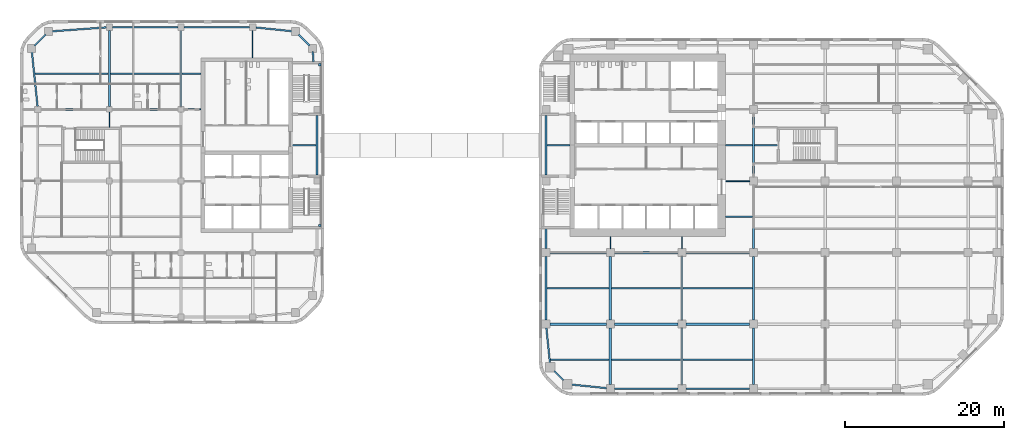
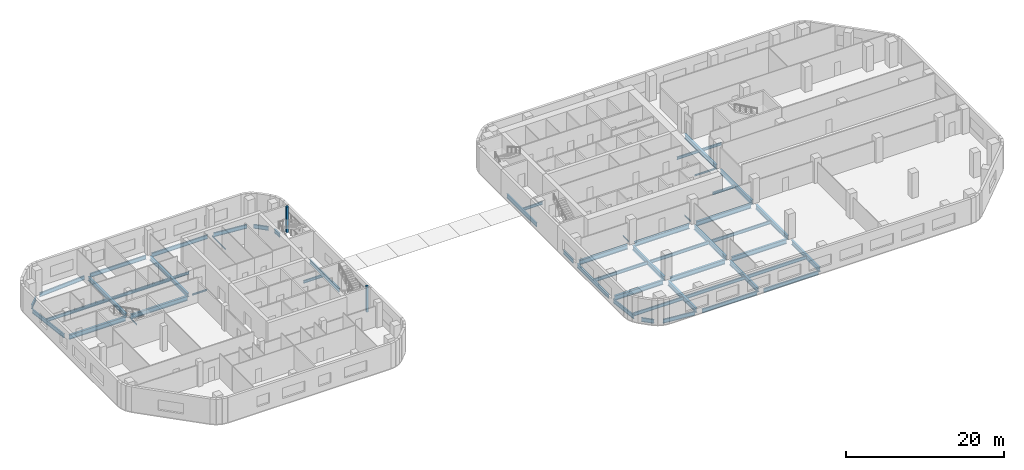
# One storey, part 2 of 15: 55 beams, 2 members.
"""IFC4 building model written with IfcOpenShell, lengths in metres."""

import ifcopenshell
import ifcopenshell.guid

model = None  # the IFC model being written
_history = None  # IfcOwnerHistory: only IFC2X3 demands one
_inside = {}  # id of a spatial element -> (the spatial element, [elements in it])
_under = {}  # id of a project, library or spatial element -> (it, [spatial elements below it])
_declared = {}  # id of a project -> (the project, [libraries it declares])
_typed = {}  # id of a type object -> (the type object, [elements of that type])
_made_of = {}  # id of a material, layer set ... -> (it, [elements and type objects made of it])


def new_model(schema):
    """Start an empty IFC model of exactly this schema.

    Asked for "IFC4X3", IfcOpenShell would pick the latest addendum, in which some entities
    have other attributes; the version numbers below select the first issue.
    IFC2X3 requires an IfcOwnerHistory on every rooted entity: one is made here for all.
    """
    global model, _history
    if schema == "IFC4X3":
        model = ifcopenshell.file(schema_version=(4, 3, 0, 0))
    else:
        model = ifcopenshell.file(schema=schema)
    _inside.clear()
    _under.clear()
    _declared.clear()
    _typed.clear()
    _made_of.clear()
    _history = None
    if model.schema == "IFC2X3":
        org = make("IfcOrganization", Name="unknown")
        user = make(
            "IfcPersonAndOrganization",
            ThePerson=make("IfcPerson", FamilyName="unknown"),
            TheOrganization=org,
        )
        app = make(
            "IfcApplication",
            ApplicationDeveloper=org,
            Version="unknown",
            ApplicationFullName="unknown",
            ApplicationIdentifier="unknown",
        )
        _history = make(
            "IfcOwnerHistory",
            OwningUser=user,
            OwningApplication=app,
            ChangeAction="ADDED",
            CreationDate=0,
        )
    return model


def make(cls, **values):
    """One entity of the class cls with the attributes given. An attribute that is None is left unset."""
    return model.create_entity(
        cls, **{name: value for name, value in values.items() if value is not None}
    )


def rooted(cls, **values):
    """An entity with a GlobalId (a new one), such as an element, a storey or a relation."""
    return make(cls, GlobalId=ifcopenshell.guid.new(), OwnerHistory=_history, **values)


def si_unit(unit_type, name, prefix=None):
    """IfcSIUnit, for example si_unit("LENGTHUNIT", "METRE", prefix="MILLI")."""
    return make("IfcSIUnit", UnitType=unit_type, Prefix=prefix, Name=name)


def assignment(units):
    """IfcUnitAssignment: the units of a project."""
    return None if units is None else make("IfcUnitAssignment", Units=units)


def point(xyz):
    """IfcCartesianPoint."""
    return None if xyz is None else make("IfcCartesianPoint", Coordinates=xyz)


def direction(xyz):
    """IfcDirection."""
    return None if xyz is None else make("IfcDirection", DirectionRatios=xyz)


def frame(location, z_axis=None, x_axis=None):
    """IfcAxis2Placement3D, a coordinate frame: its origin and axes. An axis left out is left unset."""
    return make(
        "IfcAxis2Placement3D",
        Location=point(location),
        Axis=direction(z_axis),
        RefDirection=direction(x_axis),
    )


def frame_2d(location, x_axis=None):
    """IfcAxis2Placement2D, a coordinate frame in the plane: its origin and x axis."""
    return make(
        "IfcAxis2Placement2D", Location=point(location), RefDirection=direction(x_axis)
    )


def origin():
    """The frame at (0, 0, 0) with its axes left unset."""
    return frame((0.0, 0.0, 0.0))


def origin_2d():
    """The frame at (0, 0) in the plane with its x axis left unset."""
    return frame_2d((0.0, 0.0))


def place(relative_to, where):
    """IfcLocalPlacement: puts the frame where relative to a parent placement (None: the world)."""
    return make(
        "IfcLocalPlacement", PlacementRelTo=relative_to, RelativePlacement=where
    )


def context(
    kind, dimensions, precision=None, world=None, true_north=None, identifier=None
):
    """IfcGeometricRepresentationContext, for example the 3D "Model" context."""
    return make(
        "IfcGeometricRepresentationContext",
        ContextIdentifier=identifier,
        ContextType=kind,
        CoordinateSpaceDimension=dimensions,
        Precision=precision,
        WorldCoordinateSystem=world,
        TrueNorth=true_north,
    )


def subcontext(parent, identifier, kind, view, scale=None):
    """IfcGeometricRepresentationSubContext, for example "Body" below "Model"."""
    return make(
        "IfcGeometricRepresentationSubContext",
        ContextIdentifier=identifier,
        ContextType=kind,
        ParentContext=parent,
        TargetScale=scale,
        TargetView=view,
    )


def project(units=None, contexts=None):
    """IfcProject with its units and contexts."""
    return rooted(
        "IfcProject",
        Name="project",
        RepresentationContexts=contexts,
        UnitsInContext=assignment(units),
    )


def spatial(cls, under=None, at=None, **own):
    """A site, building, storey or space (cls), placed at a placement, below another one or the project."""
    s = rooted(cls, ObjectPlacement=at, **own)
    if under is not None:
        _under.setdefault(under.id(), (under, []))[1].append(s)
    return s


def profile(cls, at=None, kind="AREA", **sizes):
    """A parametric profile (cls). Its sizes go by their IFC names, for example OverallWidth=200.0."""
    return make(cls, ProfileType=kind, Position=at, **sizes)


def rectangle(**sizes):
    """IfcRectangleProfileDef."""
    return profile("IfcRectangleProfileDef", **sizes)


def i_section(**sizes):
    """IfcIShapeProfileDef."""
    return profile("IfcIShapeProfileDef", **sizes)


def extrude(swept, where, along, depth):
    """IfcExtrudedAreaSolid: the profile swept, set in the frame where, extruded along a direction by depth."""
    return make(
        "IfcExtrudedAreaSolid",
        SweptArea=swept,
        Position=where,
        ExtrudedDirection=direction(along),
        Depth=depth,
    )


def shape(context_of_items, identifier, shape_type, items):
    """IfcShapeRepresentation: the items that make up one representation, for example the "Body"."""
    return make(
        "IfcShapeRepresentation",
        ContextOfItems=context_of_items,
        RepresentationIdentifier=identifier,
        RepresentationType=shape_type,
        Items=items,
    )


def material(Name=None, Category=None):
    """IfcMaterial."""
    return make("IfcMaterial", Name=Name, Category=Category)


def material_profile(
    of_material, cross_section, Name=None, Category=None, Priority=None
):
    """IfcMaterialProfile: a cross section and its material."""
    return make(
        "IfcMaterialProfile",
        Name=Name,
        Material=of_material,
        Profile=cross_section,
        Priority=Priority,
        Category=Category,
    )


def profile_set(profiles, Name=None, composite=None):
    """IfcMaterialProfileSet."""
    return make(
        "IfcMaterialProfileSet",
        Name=Name,
        MaterialProfiles=profiles,
        CompositeProfile=composite,
    )


def made_of(thing, what):
    """Note that an element or type object is made of a material, layer set ...; save() writes the relation."""
    if what is not None:
        _made_of.setdefault(what.id(), (what, []))[1].append(thing)
    return thing


def type_object(cls, material=None, **own):
    """A type object (cls), such as IfcWallType, which elements share."""
    return made_of(rooted(cls, **own), material)


def element(
    cls,
    number,
    at=None,
    inside=None,
    cuts=None,
    type_object=None,
    material=None,
    context=None,
    identifier="Body",
    shape_type=None,
    held_by="IfcProductDefinitionShape",
    body=None,
    shapes=None,
    **own,
):
    """One element of the class cls, such as IfcWall. Its Tag is "e" and its number.

    at: its placement. inside: the storey or other place that contains it. cuts: it is an
    opening in that element (IfcRelVoidsElement). A single representation is given by context,
    identifier, shape_type and body (its items); several are given by shapes. held_by: the class
    of the entity that holds the representations. save() writes the other relations.
    """
    e = rooted(cls, Tag="e%d" % number, ObjectPlacement=at, **own)
    if body is not None:
        shapes = [shape(context, identifier, shape_type, body)]
    if shapes is not None:
        e.Representation = make(held_by, Representations=shapes)
    if inside is not None:
        _inside.setdefault(inside.id(), (inside, []))[1].append(e)
    if cuts is not None:
        rooted(
            "IfcRelVoidsElement", RelatingBuildingElement=cuts, RelatedOpeningElement=e
        )
    if type_object is not None:
        _typed.setdefault(type_object.id(), (type_object, []))[1].append(e)
    return made_of(e, material)


def aggregate(whole, parts):
    """IfcRelAggregates: a whole, such as a stair, and the parts it consists of."""
    return rooted("IfcRelAggregates", RelatingObject=whole, RelatedObjects=parts)


def save(model, path):
    """Write the relations noted so far, then the file.

    IfcRelAggregates (storeys below a building ...), IfcRelContainedInSpatialStructure (elements
    in a storey), IfcRelDefinesByType, IfcRelAssociatesMaterial and IfcRelDeclares: one each for
    every whole, place, type object, material and project.
    """
    for whole, parts in _under.values():
        aggregate(whole, parts)
    for where, things in _inside.values():
        rooted(
            "IfcRelContainedInSpatialStructure",
            RelatedElements=things,
            RelatingStructure=where,
        )
    for kind, things in _typed.values():
        rooted("IfcRelDefinesByType", RelatedObjects=things, RelatingType=kind)
    for what, things in _made_of.values():
        rooted("IfcRelAssociatesMaterial", RelatedObjects=things, RelatingMaterial=what)
    for by, libraries in _declared.values():
        rooted("IfcRelDeclares", RelatingContext=by, RelatedDefinitions=libraries)
    model.write(path)


model = new_model("IFC4")

# Units and contexts
model_context = context("Model", 3, precision=1e-05, world=origin(), true_north=direction((0.0, 1.0)))
body_context = subcontext(model_context, "Body", "Model", "MODEL_VIEW")
ifc_project = project(units=[si_unit("LENGTHUNIT", "METRE"), si_unit("AREAUNIT", "SQUARE_METRE"), si_unit("VOLUMEUNIT", "CUBIC_METRE"), si_unit("PLANEANGLEUNIT", "RADIAN"), si_unit("MASSUNIT", "GRAM", prefix="KILO")], contexts=[model_context])

# Site, building, storey
site_placement = place(None, origin())
site = spatial("IfcSite", under=ifc_project, at=site_placement, CompositionType="ELEMENT")
building_placement = place(site_placement, origin())
building = spatial("IfcBuilding", under=site, at=building_placement, Name="Cinnabar Reach Civic Tower", CompositionType="ELEMENT")
storey_placement = place(building_placement, frame((0.0, 0.0, 75.0)))
storey = spatial("IfcBuildingStorey", under=building, at=storey_placement, Name="L17", CompositionType="ELEMENT", Elevation=75.0)

# Beams
ifc_material_1 = material(Name="Steel Q355B", Category="steel")
ifc_material_profile_1 = material_profile(ifc_material_1, i_section(OverallWidth=0.302, OverallDepth=0.594, WebThickness=0.014, FlangeThickness=0.023, FilletRadius=0.016, at=origin_2d()), Name="HM594x302x14x23")
ifc_profile_set_1 = profile_set([ifc_material_profile_1], Name="Steel Q355B")
beam_type_1 = type_object("IfcBeamType", Name="HM594x302x14x23 beam R 120", PredefinedType="BEAM", material=ifc_profile_set_1)
for number, where, z_axis, x_axis, name in (
    (1, (-54.0, 36.352, -0.447), (0.0, 1.0, 0.0), (-1.0, 0.0, 0.0), "Girder T2 L17 5"),
    (2, (-45.0, 36.352, -0.447), (0.0, 1.0, 0.0), (-1.0, 0.0, 0.0), "Girder T2 L17 9"),
):
    element("IfcBeam", number, at=place(storey_placement, frame(where, z_axis=z_axis, x_axis=x_axis)), inside=storey, type_object=beam_type_1, Name=name, PredefinedType="BEAM", context=body_context, shape_type="SweptSolid", body=[
        extrude(i_section(OverallWidth=0.302, OverallDepth=0.594, WebThickness=0.014, FlangeThickness=0.023, FilletRadius=0.016, at=origin_2d()), origin(), (0.0, 0.0, 1.0), 9.596),
    ])
ifc_material_profile_2 = material_profile(ifc_material_1, i_section(OverallWidth=0.099, OverallDepth=0.198, WebThickness=0.0045, FlangeThickness=0.007, FilletRadius=0.013, at=origin_2d()), Name="HN200x100x5.5x8")
ifc_profile_set_2 = profile_set([ifc_material_profile_2], Name="Steel Q355B")
beam_type_2 = type_object("IfcBeamType", Name="HN200x100x5.5x8 beam R 120", PredefinedType="BEAM", material=ifc_profile_set_2)
beam_1_placement = place(storey_placement, frame((-54.0, 33.752, -0.249), z_axis=(0.0, 1.0, 0.0), x_axis=(-1.0, 0.0, 0.0)))
element("IfcBeam", 3, at=beam_1_placement, inside=storey, type_object=beam_type_2, Name="Girder T2 L17 4", PredefinedType="BEAM", context=body_context, shape_type="SweptSolid", body=[
    extrude(i_section(OverallWidth=0.099, OverallDepth=0.198, WebThickness=0.0045, FlangeThickness=0.007, FilletRadius=0.013, at=origin_2d()), origin(), (0.0, 0.0, 1.0), 1.896),
])
beam_2_placement = place(storey_placement, frame((-36.0, 42.502, -0.249), z_axis=(0.0, 1.0, 0.0), x_axis=(-1.0, 0.0, 0.0)))
element("IfcBeam", 4, at=beam_2_placement, inside=storey, type_object=beam_type_2, Name="Girder T2 L17 12", PredefinedType="BEAM", context=body_context, shape_type="SweptSolid", body=[
    extrude(i_section(OverallWidth=0.099, OverallDepth=0.198, WebThickness=0.0045, FlangeThickness=0.007, FilletRadius=0.013, at=origin_2d()), origin(), (0.0, 0.0, 1.0), 3.446),
])
ifc_material_profile_3 = material_profile(ifc_material_1, i_section(OverallWidth=0.099, OverallDepth=0.198, WebThickness=0.0045, FlangeThickness=0.007, FilletRadius=0.013, at=origin_2d()), Name="HN200x100x5.5x8")
ifc_profile_set_3 = profile_set([ifc_material_profile_3], Name="Steel Q355B")
beam_type_3 = type_object("IfcBeamType", Name="HN200x100x5.5x8 beam R 180", PredefinedType="BEAM", material=ifc_profile_set_3)
for number, where, z_axis, x_axis, name in (
    (5, (9.0, 18.502, -0.249), (0.0, 1.0, 0.0), (-1.0, 0.0, 0.0), "Girder T1 L17 3"),
    (6, (18.0, 18.502, -0.249), (0.0, 1.0, 0.0), (-1.0, 0.0, 0.0), "Girder T1 L17 6"),
):
    element("IfcBeam", number, at=place(storey_placement, frame(where, z_axis=z_axis, x_axis=x_axis)), inside=storey, type_object=beam_type_3, Name=name, PredefinedType="BEAM", context=body_context, shape_type="SweptSolid", body=[
        extrude(i_section(OverallWidth=0.099, OverallDepth=0.198, WebThickness=0.0045, FlangeThickness=0.007, FilletRadius=0.013, at=origin_2d()), origin(), (0.0, 0.0, 1.0), 1.496),
    ])
ifc_material_profile_4 = material_profile(ifc_material_1, i_section(OverallWidth=0.124, OverallDepth=0.248, WebThickness=0.005, FlangeThickness=0.008, FilletRadius=0.013, at=origin_2d()), Name="HN250x125x6x9")
ifc_profile_set_4 = profile_set([ifc_material_profile_4], Name="Steel Q355B")
beam_type_4 = type_object("IfcBeamType", Name="HN250x125x6x9 beam R 120", PredefinedType="BEAM", material=ifc_profile_set_4)
beam_3_placement = place(storey_placement, frame((-44.648, 36.0, -0.274), z_axis=(1.0, 0.0, 0.0), x_axis=(0.0, 1.0, 0.0)))
element("IfcBeam", 7, at=beam_3_placement, inside=storey, type_object=beam_type_4, Name="Girder T2 L17 10", PredefinedType="BEAM", context=body_context, shape_type="SweptSolid", body=[
    extrude(i_section(OverallWidth=0.124, OverallDepth=0.248, WebThickness=0.005, FlangeThickness=0.008, FilletRadius=0.013, at=origin_2d()), origin(), (0.0, 0.0, 1.0), 2.146),
])
ifc_material_profile_5 = material_profile(ifc_material_1, i_section(OverallWidth=0.124, OverallDepth=0.248, WebThickness=0.005, FlangeThickness=0.008, FilletRadius=0.013, at=origin_2d()), Name="HN250x125x6x9")
ifc_profile_set_5 = profile_set([ifc_material_profile_5], Name="Steel Q355B")
beam_type_5 = type_object("IfcBeamType", Name="HN250x125x6x9 beam R 180", PredefinedType="BEAM", material=ifc_profile_set_5)
beam_4_placement = place(storey_placement, frame((23.502, 27.0, -0.274), z_axis=(1.0, 0.0, 0.0), x_axis=(0.0, 1.0, 0.0)))
element("IfcBeam", 8, at=beam_4_placement, inside=storey, type_object=beam_type_5, Name="Girder T1 L17 15", PredefinedType="BEAM", context=body_context, shape_type="SweptSolid", body=[
    extrude(i_section(OverallWidth=0.124, OverallDepth=0.248, WebThickness=0.005, FlangeThickness=0.008, FilletRadius=0.013, at=origin_2d()), origin(), (0.0, 0.0, 1.0), 2.996),
])
ifc_material_profile_6 = material_profile(ifc_material_1, i_section(OverallWidth=0.199, OverallDepth=0.396, WebThickness=0.007, FlangeThickness=0.011, FilletRadius=0.013, at=origin_2d()), Name="HN396x199x7x11")
ifc_profile_set_6 = profile_set([ifc_material_profile_6], Name="Steel Q355B")
beam_type_6 = type_object("IfcBeamType", Name="HN396x199x7x11 beam R 120", PredefinedType="BEAM", material=ifc_profile_set_6)
beam_5_placement = place(storey_placement, frame((-30.998, 31.5, -0.348), z_axis=(1.0, 0.0, 0.0), x_axis=(0.0, 1.0, 0.0)))
element("IfcBeam", 9, at=beam_5_placement, inside=storey, type_object=beam_type_6, Name="Secondary beam T2 L17 11", PredefinedType="BEAM", context=body_context, shape_type="SweptSolid", body=[
    extrude(i_section(OverallWidth=0.199, OverallDepth=0.396, WebThickness=0.007, FlangeThickness=0.011, FilletRadius=0.013, at=origin_2d()), origin(), (0.0, 0.0, 1.0), 2.996),
])
beam_6_placement = place(storey_placement, frame((-44.847, 40.5, -0.348), z_axis=(1.0, 0.0, 0.0), x_axis=(0.0, 1.0, 0.0)))
element("IfcBeam", 10, at=beam_6_placement, inside=storey, type_object=beam_type_6, Name="Secondary beam T2 L17 14", PredefinedType="BEAM", context=body_context, shape_type="SweptSolid", body=[
    extrude(i_section(OverallWidth=0.199, OverallDepth=0.396, WebThickness=0.007, FlangeThickness=0.011, FilletRadius=0.013, at=origin_2d()), origin(), (0.0, 0.0, 1.0), 2.345),
])
ifc_material_profile_7 = material_profile(ifc_material_1, i_section(OverallWidth=0.2, OverallDepth=0.4, WebThickness=0.008, FlangeThickness=0.013, FilletRadius=0.016, at=origin_2d()), Name="HN400x200x8x13")
ifc_profile_set_7 = profile_set([ifc_material_profile_7], Name="Steel Q355B")
beam_type_7 = type_object("IfcBeamType", Name="HN400x200x8x13 beam R 180", PredefinedType="BEAM", material=ifc_profile_set_7)
beam_7_placement = place(storey_placement, frame((23.502, 22.5, -0.35), z_axis=(1.0, 0.0, 0.0), x_axis=(0.0, 1.0, 0.0)))
element("IfcBeam", 11, at=beam_7_placement, inside=storey, type_object=beam_type_7, Name="Secondary beam T1 L17 14", PredefinedType="BEAM", context=body_context, shape_type="SweptSolid", body=[
    extrude(i_section(OverallWidth=0.2, OverallDepth=0.4, WebThickness=0.008, FlangeThickness=0.013, FilletRadius=0.016, at=origin_2d()), origin(), (0.0, 0.0, 1.0), 3.346),
])
beam_8_placement = place(storey_placement, frame((1.002, 31.5, -0.35), z_axis=(1.0, 0.0, 0.0), x_axis=(0.0, 1.0, 0.0)))
element("IfcBeam", 12, at=beam_8_placement, inside=storey, type_object=beam_type_7, Name="Secondary beam T1 L17 19", PredefinedType="BEAM", context=body_context, shape_type="SweptSolid", body=[
    extrude(i_section(OverallWidth=0.2, OverallDepth=0.4, WebThickness=0.008, FlangeThickness=0.013, FilletRadius=0.016, at=origin_2d()), origin(), (0.0, 0.0, 1.0), 2.896),
])
beam_9_placement = place(storey_placement, frame((23.502, 31.5, -0.35), z_axis=(1.0, 0.0, 0.0), x_axis=(0.0, 1.0, 0.0)))
element("IfcBeam", 13, at=beam_9_placement, inside=storey, type_object=beam_type_7, Name="Secondary beam T1 L17 20", PredefinedType="BEAM", context=body_context, shape_type="SweptSolid", body=[
    extrude(i_section(OverallWidth=0.2, OverallDepth=0.4, WebThickness=0.008, FlangeThickness=0.013, FilletRadius=0.016, at=origin_2d()), origin(), (0.0, 0.0, 1.0), 3.346),
])
beam_10_placement = place(storey_placement, frame((27.152, 31.5, -0.35), z_axis=(1.0, 0.0, 0.0), x_axis=(0.0, 1.0, 0.0)))
element("IfcBeam", 14, at=beam_10_placement, inside=storey, type_object=beam_type_7, Name="Secondary beam T1 L17 21", PredefinedType="BEAM", context=body_context, shape_type="SweptSolid", body=[
    extrude(i_section(OverallWidth=0.2, OverallDepth=0.4, WebThickness=0.008, FlangeThickness=0.013, FilletRadius=0.016, at=origin_2d()), origin(), (0.0, 0.0, 1.0), 2.846),
])
ifc_material_profile_8 = material_profile(ifc_material_1, i_section(OverallWidth=0.199, OverallDepth=0.496, WebThickness=0.009, FlangeThickness=0.014, FilletRadius=0.016, at=origin_2d()), Name="HN496x199x9x14")
ifc_profile_set_8 = profile_set([ifc_material_profile_8], Name="Steel Q355B")
beam_type_8 = type_object("IfcBeamType", Name="HN496x199x9x14 beam R 120", PredefinedType="BEAM", material=ifc_profile_set_8)
beam_11_placement = place(storey_placement, frame((-63.3663, 40.5, -0.398), z_axis=(1.0, 0.0, 0.0), x_axis=(0.0, 1.0, 0.0)))
element("IfcBeam", 15, at=beam_11_placement, inside=storey, type_object=beam_type_8, Name="Secondary beam T2 L17 12", PredefinedType="BEAM", context=body_context, shape_type="SweptSolid", body=[
    extrude(i_section(OverallWidth=0.199, OverallDepth=0.496, WebThickness=0.009, FlangeThickness=0.014, FilletRadius=0.016, at=origin_2d()), origin(), (0.0, 0.0, 1.0), 9.2133),
])
beam_12_placement = place(storey_placement, frame((-53.847, 40.5, -0.398), z_axis=(1.0, 0.0, 0.0), x_axis=(0.0, 1.0, 0.0)))
element("IfcBeam", 16, at=beam_12_placement, inside=storey, type_object=beam_type_8, Name="Secondary beam T2 L17 13", PredefinedType="BEAM", context=body_context, shape_type="SweptSolid", body=[
    extrude(i_section(OverallWidth=0.199, OverallDepth=0.496, WebThickness=0.009, FlangeThickness=0.014, FilletRadius=0.016, at=origin_2d()), origin(), (0.0, 0.0, 1.0), 8.694),
])
ifc_material_profile_9 = material_profile(ifc_material_1, i_section(OverallWidth=0.2, OverallDepth=0.5, WebThickness=0.01, FlangeThickness=0.016, FilletRadius=0.016, at=origin_2d()), Name="HN500x200x10x16")
ifc_profile_set_9 = profile_set([ifc_material_profile_9], Name="Steel Q355B")
beam_type_9 = type_object("IfcBeamType", Name="HN500x200x10x16 beam R 180", PredefinedType="BEAM", material=ifc_profile_set_9)
beam_13_placement = place(storey_placement, frame((1.4636, 4.5, -0.4), z_axis=(1.0, 0.0, 0.0), x_axis=(0.0, 1.0, 0.0)))
element("IfcBeam", 17, at=beam_13_placement, inside=storey, type_object=beam_type_9, Name="Secondary beam T1 L17 1", PredefinedType="BEAM", context=body_context, shape_type="SweptSolid", body=[
    extrude(i_section(OverallWidth=0.2, OverallDepth=0.5, WebThickness=0.01, FlangeThickness=0.016, FilletRadius=0.016, at=origin_2d()), origin(), (0.0, 0.0, 1.0), 7.3844),
])
for number, where, z_axis, x_axis, name in (
    (18, (9.152, 4.5, -0.4), (1.0, 0.0, 0.0), (0.0, 1.0, 0.0), "Secondary beam T1 L17 2"),
    (19, (18.152, 4.5, -0.4), (1.0, 0.0, 0.0), (0.0, 1.0, 0.0), "Secondary beam T1 L17 3"),
):
    element("IfcBeam", number, at=place(storey_placement, frame(where, z_axis=z_axis, x_axis=x_axis)), inside=storey, type_object=beam_type_9, Name=name, PredefinedType="BEAM", context=body_context, shape_type="SweptSolid", body=[
        extrude(i_section(OverallWidth=0.2, OverallDepth=0.5, WebThickness=0.01, FlangeThickness=0.016, FilletRadius=0.016, at=origin_2d()), origin(), (0.0, 0.0, 1.0), 8.696),
    ])
beam_14_placement = place(storey_placement, frame((1.002, 13.5, -0.4), z_axis=(1.0, 0.0, 0.0), x_axis=(0.0, 1.0, 0.0)))
element("IfcBeam", 20, at=beam_14_placement, inside=storey, type_object=beam_type_9, Name="Secondary beam T1 L17 7", PredefinedType="BEAM", context=body_context, shape_type="SweptSolid", body=[
    extrude(i_section(OverallWidth=0.2, OverallDepth=0.5, WebThickness=0.01, FlangeThickness=0.016, FilletRadius=0.016, at=origin_2d()), origin(), (0.0, 0.0, 1.0), 7.846),
])
for number, where, z_axis, x_axis, name in (
    (21, (9.152, 13.5, -0.4), (1.0, 0.0, 0.0), (0.0, 1.0, 0.0), "Secondary beam T1 L17 8"),
    (22, (18.152, 13.5, -0.4), (1.0, 0.0, 0.0), (0.0, 1.0, 0.0), "Secondary beam T1 L17 9"),
):
    element("IfcBeam", number, at=place(storey_placement, frame(where, z_axis=z_axis, x_axis=x_axis)), inside=storey, type_object=beam_type_9, Name=name, PredefinedType="BEAM", context=body_context, shape_type="SweptSolid", body=[
        extrude(i_section(OverallWidth=0.2, OverallDepth=0.5, WebThickness=0.01, FlangeThickness=0.016, FilletRadius=0.016, at=origin_2d()), origin(), (0.0, 0.0, 1.0), 8.696),
    ])
ifc_material_profile_10 = material_profile(ifc_material_1, i_section(OverallWidth=0.2, OverallDepth=0.6, WebThickness=0.011, FlangeThickness=0.017, FilletRadius=0.016, at=origin_2d()), Name="HN600x200x11x17")
ifc_profile_set_10 = profile_set([ifc_material_profile_10], Name="Steel Q355B")
beam_type_10 = type_object("IfcBeamType", Name="HN600x200x11x17 beam R 120", PredefinedType="BEAM", material=ifc_profile_set_10)
beam_15_placement = place(storey_placement, frame((-27.9, 27.752, -0.45), z_axis=(0.0, 1.0, 0.0), x_axis=(-1.0, 0.0, 0.0)))
element("IfcBeam", 23, at=beam_15_placement, inside=storey, type_object=beam_type_10, Name="Edge beam T2 L17 7", PredefinedType="BEAM", context=body_context, shape_type="SweptSolid", body=[
    extrude(i_section(OverallWidth=0.2, OverallDepth=0.6, WebThickness=0.011, FlangeThickness=0.017, FilletRadius=0.016, at=origin_2d()), origin(), (0.0, 0.0, 1.0), 7.496),
])
beam_16_placement = place(storey_placement, frame((-28.3341, 42.002, -0.45), z_axis=(-0.072116143061, 0.997396241175, 0.0), x_axis=(-0.997396241175, -0.072116143061, 0.0)))
element("IfcBeam", 24, at=beam_16_placement, inside=storey, type_object=beam_type_10, Name="Edge beam T2 L17 8", PredefinedType="BEAM", context=body_context, shape_type="SweptSolid", body=[
    extrude(i_section(OverallWidth=0.2, OverallDepth=0.6, WebThickness=0.011, FlangeThickness=0.017, FilletRadius=0.016, at=origin_2d()), origin(), (0.0, 0.0, 1.0), 1.2674),
])
beam_17_placement = place(storey_placement, frame((-28.8351, 44.0301, -0.45), z_axis=(-0.707106781187, 0.707106781187, 0.0), x_axis=(-0.707106781187, -0.707106781187, 0.0)))
element("IfcBeam", 25, at=beam_17_placement, inside=storey, type_object=beam_type_10, Name="Edge beam T2 L17 9", PredefinedType="BEAM", context=body_context, shape_type="SweptSolid", body=[
    extrude(i_section(OverallWidth=0.2, OverallDepth=0.6, WebThickness=0.011, FlangeThickness=0.017, FilletRadius=0.016, at=origin_2d()), origin(), (0.0, 0.0, 1.0), 1.9584),
])
beam_18_placement = place(storey_placement, frame((-30.9839, 45.836, -0.45), z_axis=(-0.994791084875, 0.101934770579, 0.0), x_axis=(-0.101934770579, -0.994791084875, 0.0)))
element("IfcBeam", 26, at=beam_18_placement, inside=storey, type_object=beam_type_10, Name="Edge beam T2 L17 10", PredefinedType="BEAM", context=body_context, shape_type="SweptSolid", body=[
    extrude(i_section(OverallWidth=0.2, OverallDepth=0.6, WebThickness=0.011, FlangeThickness=0.017, FilletRadius=0.016, at=origin_2d()), origin(), (0.0, 0.0, 1.0), 4.6383),
])
for number, where, z_axis, x_axis, name in (
    (27, (-36.402, 46.35, -0.45), (-1.0, 0.0, 0.0), (0.0, -1.0, 0.0), "Edge beam T2 L17 11"),
    (28, (-45.402, 46.35, -0.45), (-1.0, 0.0, 0.0), (0.0, -1.0, 0.0), "Edge beam T2 L17 12"),
):
    element("IfcBeam", number, at=place(storey_placement, frame(where, z_axis=z_axis, x_axis=x_axis)), inside=storey, type_object=beam_type_10, Name=name, PredefinedType="BEAM", context=body_context, shape_type="SweptSolid", body=[
        extrude(i_section(OverallWidth=0.2, OverallDepth=0.6, WebThickness=0.011, FlangeThickness=0.017, FilletRadius=0.016, at=origin_2d()), origin(), (0.0, 0.0, 1.0), 8.196),
    ])
beam_19_placement = place(storey_placement, frame((-54.402, 46.3209, -0.45), z_axis=(-0.997395244781, -0.072129922278, 0.0), x_axis=(0.072129922278, -0.997395244781, 0.0)))
element("IfcBeam", 29, at=beam_19_placement, inside=storey, type_object=beam_type_10, Name="Edge beam T2 L17 13", PredefinedType="BEAM", context=body_context, shape_type="SweptSolid", body=[
    extrude(i_section(OverallWidth=0.2, OverallDepth=0.6, WebThickness=0.011, FlangeThickness=0.017, FilletRadius=0.016, at=origin_2d()), origin(), (0.0, 0.0, 1.0), 6.882),
])
beam_20_placement = place(storey_placement, frame((-62.0301, 45.4149, -0.45), z_axis=(-0.707106781187, -0.707106781187, 0.0), x_axis=(0.707106781187, -0.707106781187, 0.0)))
element("IfcBeam", 30, at=beam_20_placement, inside=storey, type_object=beam_type_10, Name="Edge beam T2 L17 14", PredefinedType="BEAM", context=body_context, shape_type="SweptSolid", body=[
    extrude(i_section(OverallWidth=0.2, OverallDepth=0.6, WebThickness=0.011, FlangeThickness=0.017, FilletRadius=0.016, at=origin_2d()), origin(), (0.0, 0.0, 1.0), 1.9584),
])
beam_21_placement = place(storey_placement, frame((-63.7571, 43.2661, -0.45), z_axis=(0.103633260175, -0.994615577691, 0.0), x_axis=(0.994615577691, 0.103633260175, 0.0)))
element("IfcBeam", 31, at=beam_21_placement, inside=storey, type_object=beam_type_10, Name="Edge beam T2 L17 15", PredefinedType="BEAM", context=body_context, shape_type="SweptSolid", body=[
    extrude(i_section(OverallWidth=0.2, OverallDepth=0.6, WebThickness=0.011, FlangeThickness=0.017, FilletRadius=0.016, at=origin_2d()), origin(), (0.0, 0.0, 1.0), 6.9013),
])
ifc_material_profile_11 = material_profile(ifc_material_1, i_section(OverallWidth=0.2, OverallDepth=0.6, WebThickness=0.011, FlangeThickness=0.017, FilletRadius=0.016, at=origin_2d()), Name="HN600x200x11x17")
ifc_profile_set_11 = profile_set([ifc_material_profile_11], Name="Steel Q355B")
beam_type_11 = type_object("IfcBeamType", Name="HN600x200x11x17 beam R 180", PredefinedType="BEAM", material=ifc_profile_set_11)
beam_22_placement = place(storey_placement, frame((4.0839, 1.4037, -0.45), z_axis=(0.994791228755, -0.101933366432, 0.0), x_axis=(0.101933366432, 0.994791228755, 0.0)))
element("IfcBeam", 32, at=beam_22_placement, inside=storey, type_object=beam_type_11, Name="Edge beam T1 L17 1", PredefinedType="BEAM", context=body_context, shape_type="SweptSolid", body=[
    extrude(i_section(OverallWidth=0.2, OverallDepth=0.6, WebThickness=0.011, FlangeThickness=0.017, FilletRadius=0.016, at=origin_2d()), origin(), (0.0, 0.0, 1.0), 4.4372),
])
for number, where, z_axis, x_axis, name in (
    (33, (9.502, 0.9, -0.45), (1.0, 0.0, 0.0), (0.0, 1.0, 0.0), "Edge beam T1 L17 2"),
    (34, (18.502, 0.9, -0.45), (1.0, 0.0, 0.0), (0.0, 1.0, 0.0), "Edge beam T1 L17 3"),
):
    element("IfcBeam", number, at=place(storey_placement, frame(where, z_axis=z_axis, x_axis=x_axis)), inside=storey, type_object=beam_type_11, Name=name, PredefinedType="BEAM", context=body_context, shape_type="SweptSolid", body=[
        extrude(i_section(OverallWidth=0.2, OverallDepth=0.6, WebThickness=0.011, FlangeThickness=0.017, FilletRadius=0.016, at=origin_2d()), origin(), (0.0, 0.0, 1.0), 7.996),
    ])
beam_23_placement = place(storey_placement, frame((0.9, 35.248, -0.45), z_axis=(0.0, -1.0, 0.0), x_axis=(1.0, 0.0, 0.0)))
element("IfcBeam", 35, at=beam_23_placement, inside=storey, type_object=beam_type_11, Name="Edge beam T1 L17 20", PredefinedType="BEAM", context=body_context, shape_type="SweptSolid", body=[
    extrude(i_section(OverallWidth=0.2, OverallDepth=0.6, WebThickness=0.011, FlangeThickness=0.017, FilletRadius=0.016, at=origin_2d()), origin(), (0.0, 0.0, 1.0), 7.496),
])
beam_24_placement = place(storey_placement, frame((0.9, 20.998, -0.45), z_axis=(0.0, -1.0, 0.0), x_axis=(1.0, 0.0, 0.0)))
element("IfcBeam", 36, at=beam_24_placement, inside=storey, type_object=beam_type_11, Name="Edge beam T1 L17 21", PredefinedType="BEAM", context=body_context, shape_type="SweptSolid", body=[
    extrude(i_section(OverallWidth=0.2, OverallDepth=0.6, WebThickness=0.011, FlangeThickness=0.017, FilletRadius=0.016, at=origin_2d()), origin(), (0.0, 0.0, 1.0), 2.496),
])
beam_25_placement = place(storey_placement, frame((0.9, 17.498, -0.45), z_axis=(0.0, -1.0, 0.0), x_axis=(1.0, 0.0, 0.0)))
element("IfcBeam", 37, at=beam_25_placement, inside=storey, type_object=beam_type_11, Name="Edge beam T1 L17 22", PredefinedType="BEAM", context=body_context, shape_type="SweptSolid", body=[
    extrude(i_section(OverallWidth=0.2, OverallDepth=0.6, WebThickness=0.011, FlangeThickness=0.017, FilletRadius=0.016, at=origin_2d()), origin(), (0.0, 0.0, 1.0), 7.996),
])
beam_26_placement = place(storey_placement, frame((0.9514, 8.498, -0.45), z_axis=(0.101933366432, -0.994791228755, 0.0), x_axis=(0.994791228755, 0.101933366432, 0.0)))
element("IfcBeam", 38, at=beam_26_placement, inside=storey, type_object=beam_type_11, Name="Edge beam T1 L17 23", PredefinedType="BEAM", context=body_context, shape_type="SweptSolid", body=[
    extrude(i_section(OverallWidth=0.2, OverallDepth=0.6, WebThickness=0.011, FlangeThickness=0.017, FilletRadius=0.016, at=origin_2d()), origin(), (0.0, 0.0, 1.0), 4.4372),
])
beam_27_placement = place(storey_placement, frame((1.9351, 3.1199, -0.45), z_axis=(0.707106781187, -0.707106781187, 0.0), x_axis=(0.707106781187, 0.707106781187, 0.0)))
element("IfcBeam", 39, at=beam_27_placement, inside=storey, type_object=beam_type_11, Name="Edge beam T1 L17 24", PredefinedType="BEAM", context=body_context, shape_type="SweptSolid", body=[
    extrude(i_section(OverallWidth=0.2, OverallDepth=0.6, WebThickness=0.011, FlangeThickness=0.017, FilletRadius=0.016, at=origin_2d()), origin(), (0.0, 0.0, 1.0), 1.6756),
])
ifc_material_profile_12 = material_profile(ifc_material_1, i_section(OverallWidth=0.3, OverallDepth=0.692, WebThickness=0.013, FlangeThickness=0.02, FilletRadius=0.016, at=origin_2d()), Name="HN692x300x13x20")
ifc_profile_set_12 = profile_set([ifc_material_profile_12], Name="Steel Q355B")
beam_type_12 = type_object("IfcBeamType", Name="HN692x300x13x20 beam R 120", PredefinedType="BEAM", material=ifc_profile_set_12)
beam_28_placement = place(storey_placement, frame((-62.598, 36.0, -0.496), z_axis=(1.0, 0.0, 0.0), x_axis=(0.0, 1.0, 0.0)))
element("IfcBeam", 40, at=beam_28_placement, inside=storey, type_object=beam_type_12, Name="Girder T2 L17 8", PredefinedType="BEAM", context=body_context, shape_type="SweptSolid", body=[
    extrude(i_section(OverallWidth=0.3, OverallDepth=0.692, WebThickness=0.013, FlangeThickness=0.02, FilletRadius=0.016, at=origin_2d()), origin(), (0.0, 0.0, 1.0), 8.246),
])
beam_29_placement = place(storey_placement, frame((-53.648, 36.0, -0.496), z_axis=(1.0, 0.0, 0.0), x_axis=(0.0, 1.0, 0.0)))
element("IfcBeam", 41, at=beam_29_placement, inside=storey, type_object=beam_type_12, Name="Girder T2 L17 9", PredefinedType="BEAM", context=body_context, shape_type="SweptSolid", body=[
    extrude(i_section(OverallWidth=0.3, OverallDepth=0.692, WebThickness=0.013, FlangeThickness=0.02, FilletRadius=0.016, at=origin_2d()), origin(), (0.0, 0.0, 1.0), 8.296),
])
ifc_material_profile_13 = material_profile(ifc_material_1, i_section(OverallWidth=0.3, OverallDepth=0.692, WebThickness=0.013, FlangeThickness=0.02, FilletRadius=0.016, at=origin_2d()), Name="HN692x300x13x20")
ifc_profile_set_13 = profile_set([ifc_material_profile_13], Name="Steel Q355B")
beam_type_13 = type_object("IfcBeamType", Name="HN692x300x13x20 beam R 180", PredefinedType="BEAM", material=ifc_profile_set_13)
beam_30_placement = place(storey_placement, frame((9.0, 1.402, -0.496), z_axis=(0.0, 1.0, 0.0), x_axis=(-1.0, 0.0, 0.0)))
element("IfcBeam", 42, at=beam_30_placement, inside=storey, type_object=beam_type_13, Name="Girder T1 L17 1", PredefinedType="BEAM", context=body_context, shape_type="SweptSolid", body=[
    extrude(i_section(OverallWidth=0.3, OverallDepth=0.692, WebThickness=0.013, FlangeThickness=0.02, FilletRadius=0.016, at=origin_2d()), origin(), (0.0, 0.0, 1.0), 7.096),
])
beam_31_placement = place(storey_placement, frame((9.0, 9.502, -0.496), z_axis=(0.0, 1.0, 0.0), x_axis=(-1.0, 0.0, 0.0)))
element("IfcBeam", 43, at=beam_31_placement, inside=storey, type_object=beam_type_13, Name="Girder T1 L17 2", PredefinedType="BEAM", context=body_context, shape_type="SweptSolid", body=[
    extrude(i_section(OverallWidth=0.3, OverallDepth=0.692, WebThickness=0.013, FlangeThickness=0.02, FilletRadius=0.016, at=origin_2d()), origin(), (0.0, 0.0, 1.0), 7.996),
])
beam_32_placement = place(storey_placement, frame((18.0, 1.402, -0.496), z_axis=(0.0, 1.0, 0.0), x_axis=(-1.0, 0.0, 0.0)))
element("IfcBeam", 44, at=beam_32_placement, inside=storey, type_object=beam_type_13, Name="Girder T1 L17 4", PredefinedType="BEAM", context=body_context, shape_type="SweptSolid", body=[
    extrude(i_section(OverallWidth=0.3, OverallDepth=0.692, WebThickness=0.013, FlangeThickness=0.02, FilletRadius=0.016, at=origin_2d()), origin(), (0.0, 0.0, 1.0), 7.096),
])
beam_33_placement = place(storey_placement, frame((18.0, 9.502, -0.496), z_axis=(0.0, 1.0, 0.0), x_axis=(-1.0, 0.0, 0.0)))
element("IfcBeam", 45, at=beam_33_placement, inside=storey, type_object=beam_type_13, Name="Girder T1 L17 5", PredefinedType="BEAM", context=body_context, shape_type="SweptSolid", body=[
    extrude(i_section(OverallWidth=0.3, OverallDepth=0.692, WebThickness=0.013, FlangeThickness=0.02, FilletRadius=0.016, at=origin_2d()), origin(), (0.0, 0.0, 1.0), 7.996),
])
beam_34_placement = place(storey_placement, frame((27.0, 1.402, -0.496), z_axis=(0.0, 1.0, 0.0), x_axis=(-1.0, 0.0, 0.0)))
element("IfcBeam", 46, at=beam_34_placement, inside=storey, type_object=beam_type_13, Name="Girder T1 L17 7", PredefinedType="BEAM", context=body_context, shape_type="SweptSolid", body=[
    extrude(i_section(OverallWidth=0.3, OverallDepth=0.692, WebThickness=0.013, FlangeThickness=0.02, FilletRadius=0.016, at=origin_2d()), origin(), (0.0, 0.0, 1.0), 7.096),
])
for number, where, z_axis, x_axis, name in (
    (47, (27.0, 9.502, -0.496), (0.0, 1.0, 0.0), (-1.0, 0.0, 0.0), "Girder T1 L17 8"),
    (48, (27.0, 18.502, -0.496), (0.0, 1.0, 0.0), (-1.0, 0.0, 0.0), "Girder T1 L17 9"),
    (49, (27.0, 27.502, -0.496), (0.0, 1.0, 0.0), (-1.0, 0.0, 0.0), "Girder T1 L17 10"),
):
    element("IfcBeam", number, at=place(storey_placement, frame(where, z_axis=z_axis, x_axis=x_axis)), inside=storey, type_object=beam_type_13, Name=name, PredefinedType="BEAM", context=body_context, shape_type="SweptSolid", body=[
        extrude(i_section(OverallWidth=0.3, OverallDepth=0.692, WebThickness=0.013, FlangeThickness=0.02, FilletRadius=0.016, at=origin_2d()), origin(), (0.0, 0.0, 1.0), 7.996),
    ])
ifc_material_profile_14 = material_profile(ifc_material_1, i_section(OverallWidth=0.3, OverallDepth=0.7, WebThickness=0.013, FlangeThickness=0.024, FilletRadius=0.02, at=origin_2d()), Name="HN700x300x13x24")
ifc_profile_set_14 = profile_set([ifc_material_profile_14], Name="Steel Q355B")
beam_type_14 = type_object("IfcBeamType", Name="HN700x300x13x24 beam R 180", PredefinedType="BEAM", material=ifc_profile_set_14)
beam_35_placement = place(storey_placement, frame((1.402, 9.0, -0.5), z_axis=(1.0, 0.0, 0.0), x_axis=(0.0, 1.0, 0.0)))
element("IfcBeam", 50, at=beam_35_placement, inside=storey, type_object=beam_type_14, Name="Girder T1 L17 1", PredefinedType="BEAM", context=body_context, shape_type="SweptSolid", body=[
    extrude(i_section(OverallWidth=0.3, OverallDepth=0.7, WebThickness=0.013, FlangeThickness=0.024, FilletRadius=0.02, at=origin_2d()), origin(), (0.0, 0.0, 1.0), 7.096),
])
for number, where, z_axis, x_axis, name in (
    (51, (9.502, 9.0, -0.5), (1.0, 0.0, 0.0), (0.0, 1.0, 0.0), "Girder T1 L17 2"),
    (52, (18.502, 9.0, -0.5), (1.0, 0.0, 0.0), (0.0, 1.0, 0.0), "Girder T1 L17 3"),
):
    element("IfcBeam", number, at=place(storey_placement, frame(where, z_axis=z_axis, x_axis=x_axis)), inside=storey, type_object=beam_type_14, Name=name, PredefinedType="BEAM", context=body_context, shape_type="SweptSolid", body=[
        extrude(i_section(OverallWidth=0.3, OverallDepth=0.7, WebThickness=0.013, FlangeThickness=0.024, FilletRadius=0.02, at=origin_2d()), origin(), (0.0, 0.0, 1.0), 7.996),
    ])
beam_36_placement = place(storey_placement, frame((1.402, 18.0, -0.5), z_axis=(1.0, 0.0, 0.0), x_axis=(0.0, 1.0, 0.0)))
element("IfcBeam", 53, at=beam_36_placement, inside=storey, type_object=beam_type_14, Name="Girder T1 L17 8", PredefinedType="BEAM", context=body_context, shape_type="SweptSolid", body=[
    extrude(i_section(OverallWidth=0.3, OverallDepth=0.7, WebThickness=0.013, FlangeThickness=0.024, FilletRadius=0.02, at=origin_2d()), origin(), (0.0, 0.0, 1.0), 7.096),
])
for number, where, z_axis, x_axis, name in (
    (54, (9.502, 18.0, -0.5), (1.0, 0.0, 0.0), (0.0, 1.0, 0.0), "Girder T1 L17 9"),
    (55, (18.502, 18.0, -0.5), (1.0, 0.0, 0.0), (0.0, 1.0, 0.0), "Girder T1 L17 10"),
):
    element("IfcBeam", number, at=place(storey_placement, frame(where, z_axis=z_axis, x_axis=x_axis)), inside=storey, type_object=beam_type_14, Name=name, PredefinedType="BEAM", context=body_context, shape_type="SweptSolid", body=[
        extrude(i_section(OverallWidth=0.3, OverallDepth=0.7, WebThickness=0.013, FlangeThickness=0.024, FilletRadius=0.02, at=origin_2d()), origin(), (0.0, 0.0, 1.0), 7.996),
    ])

# Members
ifc_material_2 = material(Name="Concrete C40", Category="concrete")
ifc_material_profile_15 = material_profile(ifc_material_2, rectangle(XDim=0.3, YDim=0.3, at=origin_2d()), Name="C300")
ifc_profile_set_15 = profile_set([ifc_material_profile_15], Name="Concrete C40")
member_type = type_object("IfcMemberType", Name="T2 stair post 300", PredefinedType="STRUT", material=ifc_profile_set_15)
for number, where, z_axis, x_axis, name in (
    (56, (-27.55, 21.4, 0.0), (0.0, 0.0, 1.0), (1.0, 0.0, 0.0), "Stair post 1"),
    (57, (-27.55, 41.6, 0.0), (0.0, 0.0, 1.0), (1.0, 0.0, 0.0), "Stair post 2"),
):
    element("IfcMember", number, at=place(storey_placement, frame(where, z_axis=z_axis, x_axis=x_axis)), inside=storey, type_object=member_type, Name=name, PredefinedType="STRUT", context=body_context, shape_type="SweptSolid", body=[
        extrude(rectangle(XDim=0.3, YDim=0.3, at=origin_2d()), origin(), (0.0, 0.0, 1.0), 4.0),
    ])

save(model, "model.ifc")
